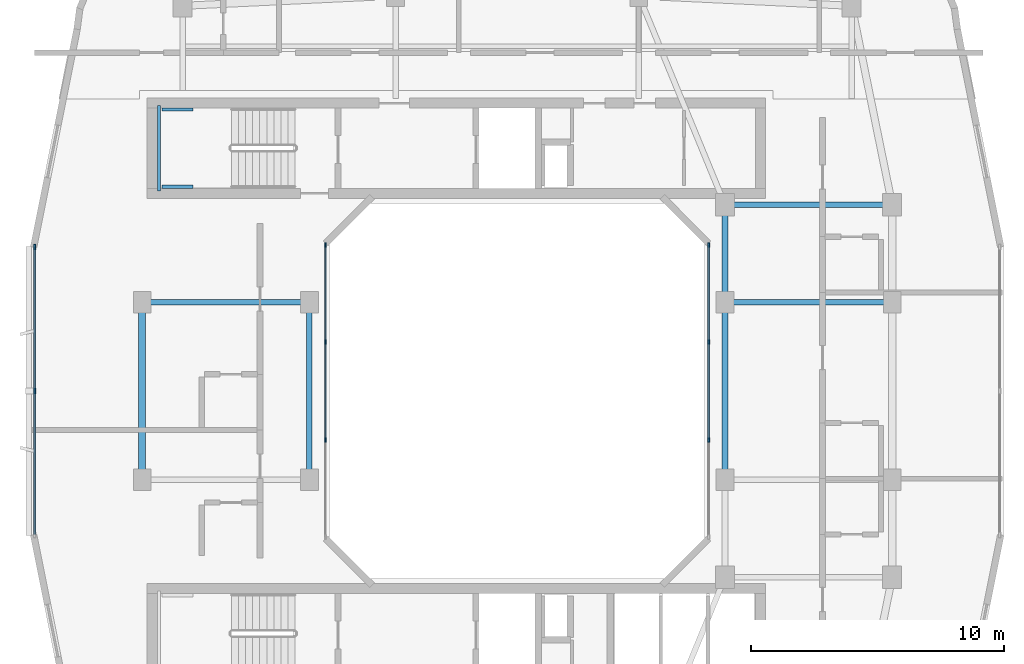
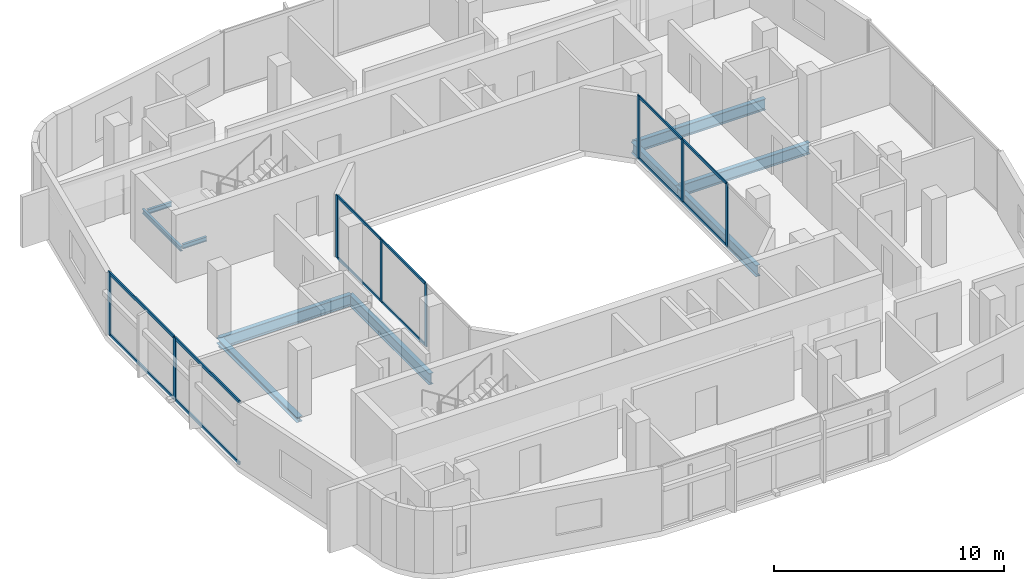
# One storey, part 3 of 14: 20 members, 10 beams, 3 elements without a shape of their own.
"""IFC4 building model written with IfcOpenShell, lengths in metres."""

from ifc_helpers import new_model, si_unit, derived_unit, direction, frame, origin, origin_2d, place, context, subcontext, project, spatial, rectangle, i_section, extrude, material, layer, layer_set, material_profile, profile_set, type_object, element, aggregate, save


model = new_model("IFC4")

# Units and contexts
model_context = context("Model", 3, precision=1e-05, world=origin(), true_north=direction((0.0, 1.0)))
body_context = subcontext(model_context, "Body", "Model", "MODEL_VIEW")
ifc_project = project(units=[si_unit("LENGTHUNIT", "METRE"), si_unit("AREAUNIT", "SQUARE_METRE"), si_unit("VOLUMEUNIT", "CUBIC_METRE"), si_unit("PLANEANGLEUNIT", "RADIAN"), si_unit("MASSUNIT", "GRAM", prefix="KILO"), derived_unit("THERMALTRANSMITTANCEUNIT", [(si_unit("POWERUNIT", "WATT"), 1), (si_unit("LENGTHUNIT", "METRE"), -2), (si_unit("THERMODYNAMICTEMPERATUREUNIT", "KELVIN"), -1)])], contexts=[model_context])

# Site, building, storey
site_placement = place(None, origin())
site = spatial("IfcSite", under=ifc_project, at=site_placement, CompositionType="ELEMENT")
building_placement = place(site_placement, origin())
building = spatial("IfcBuilding", under=site, at=building_placement, Name="Kivonza Crest Hotel", CompositionType="ELEMENT")
storey_placement = place(building_placement, frame((0.0, 0.0, 209.89990234375)))
storey = spatial("IfcBuildingStorey", under=building, at=storey_placement, Name="L57", CompositionType="ELEMENT", Elevation=209.89990234375)

# Beams
ifc_material_1 = material(Name="Steel S355", Category="steel")
ifc_material_profile_1 = material_profile(ifc_material_1, i_section(OverallWidth=0.280029296875, OverallDepth=0.280029296875, WebThickness=0.010498046875, FlangeThickness=0.01806640625, FilletRadius=0.02392578125, at=origin_2d()), Name="HEB 280")
ifc_profile_set_1 = profile_set([ifc_material_profile_1], Name="Steel S355")
beam_type_1 = type_object("IfcBeamType", Name="BM-HEB280", PredefinedType="SPANDREL", material=ifc_profile_set_1)
beam_1_placement = place(storey_placement, frame((6.199951171875, 28.5, -0.419921875), z_axis=(0.0, -1.0, 0.0), x_axis=(1.0, 0.0, 0.0)))
element("IfcBeam", 1, at=beam_1_placement, inside=storey, type_object=beam_type_1, Name="Tower T1 L57 perimeter spandrel W2-W1", PredefinedType="SPANDREL", context=body_context, shape_type="SweptSolid", body=[
    extrude(i_section(OverallWidth=0.280029296875, OverallDepth=0.280029296875, WebThickness=0.010498046875, FlangeThickness=0.01806640625, FilletRadius=0.02392578125, at=origin_2d()), origin(), (0.0, 0.0, 1.0), 7.0),
])
ifc_material_profile_2 = material_profile(ifc_material_1, i_section(OverallWidth=0.219970703125, OverallDepth=0.60009765625, WebThickness=0.011962890625, FlangeThickness=0.01904296875, FilletRadius=0.02392578125, at=origin_2d()), Name="IPE 600")
ifc_profile_set_2 = profile_set([ifc_material_profile_2], Name="Steel S355")
beam_type_2 = type_object("IfcBeamType", Name="BM-IPE600", PredefinedType="BEAM", material=ifc_profile_set_2)
beam_2_placement = place(storey_placement, frame((6.199951171875, 28.5, -0.579833984375), z_axis=(1.0, 0.0, 0.0), x_axis=(0.0, 1.0, 0.0)))
element("IfcBeam", 2, at=beam_2_placement, inside=storey, type_object=beam_type_2, Name="Tower T1 L57 primary girder W2-WL2", PredefinedType="BEAM", context=body_context, shape_type="SweptSolid", body=[
    extrude(i_section(OverallWidth=0.219970703125, OverallDepth=0.60009765625, WebThickness=0.011962890625, FlangeThickness=0.01904296875, FilletRadius=0.02392578125, at=origin_2d()), origin(), (0.0, 0.0, 1.0), 6.60009765625),
])
beam_3_placement = place(storey_placement, frame((12.800048828125, 21.5, -0.579833984375), z_axis=(0.0, 1.0, 0.0), x_axis=(-1.0, 0.0, 0.0)))
element("IfcBeam", 3, at=beam_3_placement, inside=storey, type_object=beam_type_2, Name="Tower T1 L57 primary girder WL1-WL2", PredefinedType="BEAM", context=body_context, shape_type="SweptSolid", body=[
    extrude(i_section(OverallWidth=0.219970703125, OverallDepth=0.60009765625, WebThickness=0.011962890625, FlangeThickness=0.01904296875, FilletRadius=0.02392578125, at=origin_2d()), origin(), (0.0, 0.0, 1.0), 7.0),
])
beam_4_placement = place(storey_placement, frame((29.199951171875, 32.35009765625, -0.579833984375), z_axis=(1.0, 0.0, 0.0), x_axis=(0.0, 1.0, 0.0)))
element("IfcBeam", 4, at=beam_4_placement, inside=storey, type_object=beam_type_2, Name="Tower T1 L57 primary girder TNE-PNE", PredefinedType="BEAM", context=body_context, shape_type="SweptSolid", body=[
    extrude(i_section(OverallWidth=0.219970703125, OverallDepth=0.60009765625, WebThickness=0.011962890625, FlangeThickness=0.01904296875, FilletRadius=0.02392578125, at=origin_2d()), origin(), (0.0, 0.0, 1.0), 6.60009765625),
])
beam_5_placement = place(storey_placement, frame((29.199951171875, 21.5, -0.579833984375), z_axis=(0.0, 1.0, 0.0), x_axis=(-1.0, 0.0, 0.0)))
element("IfcBeam", 5, at=beam_5_placement, inside=storey, type_object=beam_type_2, Name="Tower T1 L57 primary girder WR1-WR2", PredefinedType="BEAM", context=body_context, shape_type="SweptSolid", body=[
    extrude(i_section(OverallWidth=0.219970703125, OverallDepth=0.60009765625, WebThickness=0.011962890625, FlangeThickness=0.01904296875, FilletRadius=0.02392578125, at=origin_2d()), origin(), (0.0, 0.0, 1.0), 7.0),
])
beam_6_placement = place(storey_placement, frame((29.199951171875, 28.5, -0.579833984375), z_axis=(0.0, 1.0, 0.0), x_axis=(-1.0, 0.0, 0.0)))
element("IfcBeam", 6, at=beam_6_placement, inside=storey, type_object=beam_type_2, Name="Tower T1 L57 primary girder WR2-TNE", PredefinedType="BEAM", context=body_context, shape_type="SweptSolid", body=[
    extrude(i_section(OverallWidth=0.219970703125, OverallDepth=0.60009765625, WebThickness=0.011962890625, FlangeThickness=0.01904296875, FilletRadius=0.02392578125, at=origin_2d()), origin(), (0.0, 0.0, 1.0), 3.85009765625),
])
beam_7_placement = place(storey_placement, frame((29.199951171875, 28.5, -0.579833984375), z_axis=(1.0, 0.0, 0.0), x_axis=(0.0, 1.0, 0.0)))
element("IfcBeam", 7, at=beam_7_placement, inside=storey, type_object=beam_type_2, Name="Tower T1 L57 primary girder WR2-E2", PredefinedType="BEAM", context=body_context, shape_type="SweptSolid", body=[
    extrude(i_section(OverallWidth=0.219970703125, OverallDepth=0.60009765625, WebThickness=0.011962890625, FlangeThickness=0.01904296875, FilletRadius=0.02392578125, at=origin_2d()), origin(), (0.0, 0.0, 1.0), 6.60009765625),
])
ifc_material_profile_3 = material_profile(ifc_material_1, i_section(OverallWidth=0.1201171875, OverallDepth=0.239990234375, WebThickness=0.006103515625, FlangeThickness=0.009765625, FilletRadius=0.014892578125, at=origin_2d()), Name="IPE 240")
ifc_profile_set_3 = profile_set([ifc_material_profile_3], Name="Steel S355")
beam_type_3 = type_object("IfcBeamType", Name="BM-LLDG-240", PredefinedType="BEAM", material=ifc_profile_set_3)
beam_8_placement = place(storey_placement, frame((6.860107421875, 32.89990234375, 1.47998046875), z_axis=(0.0, 1.0, 0.0), x_axis=(-1.0, 0.0, 0.0)))
element("IfcBeam", 8, at=beam_8_placement, inside=storey, type_object=beam_type_3, Name="Stair ST-T1-N L57 West landing corbel", PredefinedType="BEAM", context=body_context, shape_type="SweptSolid", body=[
    extrude(i_section(OverallWidth=0.1201171875, OverallDepth=0.239990234375, WebThickness=0.006103515625, FlangeThickness=0.009765625, FilletRadius=0.014892578125, at=origin_2d()), origin(), (0.0, 0.0, 1.0), 3.360107421875),
])
for number, where, z_axis, x_axis, name in (
    (9, (6.989990234375, 33.06005859375, 1.47998046875), (1.0, 0.0, 0.0), (0.0, 1.0, 0.0), "Stair ST-T1-N L57 South landing corbel"),
    (10, (6.989990234375, 36.10009765625, 1.47998046875), (1.0, 0.0, 0.0), (0.0, 1.0, 0.0), "Stair ST-T1-N L57 North landing corbel"),
):
    element("IfcBeam", number, at=place(storey_placement, frame(where, z_axis=z_axis, x_axis=x_axis)), inside=storey, type_object=beam_type_3, Name=name, PredefinedType="BEAM", context=body_context, shape_type="SweptSolid", body=[
        extrude(i_section(OverallWidth=0.1201171875, OverallDepth=0.239990234375, WebThickness=0.006103515625, FlangeThickness=0.009765625, FilletRadius=0.014892578125, at=origin_2d()), origin(), (0.0, 0.0, 1.0), 1.2099609375),
    ])

# Curtain wall, members
ifc_material_2 = material(Name="Anodised bronze aluminium and low-E double glazing", Category="aluminium")
ifc_layer_1 = layer(ifc_material_2, 0.159912109375)
ifc_layer_set_1 = layer_set([ifc_layer_1], Name="Anodised bronze aluminium and low-E double glazing")
curtain_wall_type_1 = type_object("IfcCurtainWallType", Name="CW-SYS-5", PredefinedType="NOTDEFINED", material=ifc_layer_set_1)
curtain_wall_1_placement = place(storey_placement, origin())
curtain_wall_1 = element("IfcCurtainWall", 11, at=curtain_wall_1_placement, inside=storey, type_object=curtain_wall_type_1, Name="L57 unitised curtain wall CW-WELL-T1-L57-3", PredefinedType="NOTDEFINED")
ifc_material_3 = material(Name="Anodised bronze aluminium", Category="aluminium")
ifc_material_profile_4 = material_profile(ifc_material_3, rectangle(XDim=0.06494140625, YDim=0.179931640625, at=origin_2d()), Name="CW-M 65x180")
ifc_profile_set_4 = profile_set([ifc_material_profile_4], Name="Anodised bronze aluminium")
member_type_1 = type_object("IfcMemberType", Name="CW-MUL-65x180", PredefinedType="MULLION", material=ifc_profile_set_4)
member_1_placement = place(storey_placement, frame((28.56005859375, 23.066650390625, 0.0), z_axis=(0.0, 0.0, 1.0), x_axis=(-1.0, 0.0, 0.0)))
member_1 = element("IfcMember", 12, at=member_1_placement, type_object=member_type_1, Name="CW-5 mullion 2", PredefinedType="MULLION", context=body_context, shape_type="SweptSolid", body=[
    extrude(rectangle(XDim=0.06494140625, YDim=0.179931640625, at=origin_2d()), origin(), (0.0, 0.0, 1.0), 3.320068359375),
])
member_2_placement = place(storey_placement, frame((28.56005859375, 26.933349609375, 0.0), z_axis=(0.0, 0.0, 1.0), x_axis=(-1.0, 0.0, 0.0)))
member_2 = element("IfcMember", 13, at=member_2_placement, type_object=member_type_1, Name="CW-5 mullion 3", PredefinedType="MULLION", context=body_context, shape_type="SweptSolid", body=[
    extrude(rectangle(XDim=0.06494140625, YDim=0.179931640625, at=origin_2d()), origin(), (0.0, 0.0, 1.0), 3.320068359375),
])
member_3_placement = place(storey_placement, frame((28.56005859375, 30.767578125, 0.0), z_axis=(0.0, 0.0, 1.0), x_axis=(-1.0, 0.0, 0.0)))
member_3 = element("IfcMember", 14, at=member_3_placement, type_object=member_type_1, Name="CW-5 mullion 4", PredefinedType="MULLION", context=body_context, shape_type="SweptSolid", body=[
    extrude(rectangle(XDim=0.06494140625, YDim=0.179931640625, at=origin_2d()), origin(), (0.0, 0.0, 1.0), 3.320068359375),
])

curtain_wall_2_placement = place(storey_placement, origin())
curtain_wall_2 = element("IfcCurtainWall", 15, at=curtain_wall_2_placement, inside=storey, type_object=curtain_wall_type_1, Name="L57 unitised curtain wall CW-WELL-T1-L57-7", PredefinedType="NOTDEFINED")
member_4_placement = place(storey_placement, frame((13.43994140625, 30.767578125, 0.0), z_axis=(0.0, 0.0, 1.0), x_axis=(1.0, 0.0, 0.0)))
member_4 = element("IfcMember", 16, at=member_4_placement, type_object=member_type_1, Name="CW-5 mullion 1", PredefinedType="MULLION", context=body_context, shape_type="SweptSolid", body=[
    extrude(rectangle(XDim=0.06494140625, YDim=0.179931640625, at=origin_2d()), origin(), (0.0, 0.0, 1.0), 3.320068359375),
])
member_5_placement = place(storey_placement, frame((13.43994140625, 26.933349609375, 0.0), z_axis=(0.0, 0.0, 1.0), x_axis=(1.0, 0.0, 0.0)))
member_5 = element("IfcMember", 17, at=member_5_placement, type_object=member_type_1, Name="CW-5 mullion 2", PredefinedType="MULLION", context=body_context, shape_type="SweptSolid", body=[
    extrude(rectangle(XDim=0.06494140625, YDim=0.179931640625, at=origin_2d()), origin(), (0.0, 0.0, 1.0), 3.320068359375),
])
member_6_placement = place(storey_placement, frame((13.43994140625, 23.066650390625, 0.0), z_axis=(0.0, 0.0, 1.0), x_axis=(1.0, 0.0, 0.0)))
member_6 = element("IfcMember", 18, at=member_6_placement, type_object=member_type_1, Name="CW-5 mullion 3", PredefinedType="MULLION", context=body_context, shape_type="SweptSolid", body=[
    extrude(rectangle(XDim=0.06494140625, YDim=0.179931640625, at=origin_2d()), origin(), (0.0, 0.0, 1.0), 3.320068359375),
])

ifc_layer_2 = layer(ifc_material_2, 0.179931640625)
ifc_layer_set_2 = layer_set([ifc_layer_2], Name="Anodised bronze aluminium and low-E double glazing")
curtain_wall_type_2 = type_object("IfcCurtainWallType", Name="CW-SYS-3", PredefinedType="NOTDEFINED", material=ifc_layer_set_2)
curtain_wall_3_placement = place(storey_placement, origin())
curtain_wall_3 = element("IfcCurtainWall", 19, at=curtain_wall_3_placement, inside=storey, type_object=curtain_wall_type_2, Name="L57 unitised curtain wall CW-T1-L57-35", PredefinedType="NOTDEFINED")
ifc_material_profile_5 = material_profile(ifc_material_3, rectangle(XDim=0.074951171875, YDim=0.219970703125, at=origin_2d()), Name="CW-M 75x220")
ifc_profile_set_5 = profile_set([ifc_material_profile_5], Name="Anodised bronze aluminium")
member_type_2 = type_object("IfcMemberType", Name="CW-MUL-75x220", PredefinedType="MULLION", material=ifc_profile_set_5)
member_7_placement = place(storey_placement, frame((1.9599609375, 30.6826171875, 0.0), z_axis=(0.0, 0.0, 1.0), x_axis=(1.0, 0.0, 0.0)))
member_7 = element("IfcMember", 20, at=member_7_placement, type_object=member_type_2, Name="CW-3 mullion 1", PredefinedType="MULLION", context=body_context, shape_type="SweptSolid", body=[
    extrude(rectangle(XDim=0.074951171875, YDim=0.219970703125, at=origin_2d()), origin(), (0.0, 0.0, 1.0), 3.320068359375),
])
member_8_placement = place(storey_placement, frame((1.9599609375, 25.0, 0.0), z_axis=(0.0, 0.0, 1.0), x_axis=(1.0, 0.0, 0.0)))
member_8 = element("IfcMember", 21, at=member_8_placement, type_object=member_type_2, Name="CW-3 mullion 2", PredefinedType="MULLION", context=body_context, shape_type="SweptSolid", body=[
    extrude(rectangle(XDim=0.074951171875, YDim=0.219970703125, at=origin_2d()), origin(), (0.0, 0.0, 1.0), 3.320068359375),
])

# Member
ifc_material_profile_6 = material_profile(ifc_material_3, rectangle(XDim=0.06494140625, YDim=0.139892578125, at=origin_2d()), Name="CW-T 65x140")
ifc_profile_set_6 = profile_set([ifc_material_profile_6], Name="Anodised bronze aluminium")
member_type_3 = type_object("IfcMemberType", Name="CW-TRN-65x140", PredefinedType="USERDEFINED", material=ifc_profile_set_6)
member_9_placement = place(storey_placement, frame((28.56005859375, 23.09912109375, 0.03271484375), z_axis=(0.0, 1.0, 0.0), x_axis=(-1.0, 0.0, 0.0)))
member_9 = element("IfcMember", 22, at=member_9_placement, type_object=member_type_3, Name="CW-5 transom 2.1", ObjectType="TRANSOM", PredefinedType="USERDEFINED", context=body_context, shape_type="SweptSolid", body=[
    extrude(rectangle(XDim=0.06494140625, YDim=0.139892578125, at=origin_2d()), origin(), (0.0, 0.0, 1.0), 3.8017578125),
])

member_10_placement = place(storey_placement, frame((28.56005859375, 23.09912109375, 3.28759765625), z_axis=(0.0, 1.0, 0.0), x_axis=(-1.0, 0.0, 0.0)))
member_10 = element("IfcMember", 23, at=member_10_placement, type_object=member_type_3, Name="CW-5 transom 2.2", ObjectType="TRANSOM", PredefinedType="USERDEFINED", context=body_context, shape_type="SweptSolid", body=[
    extrude(rectangle(XDim=0.06494140625, YDim=0.139892578125, at=origin_2d()), origin(), (0.0, 0.0, 1.0), 3.8017578125),
])

member_11_placement = place(storey_placement, frame((28.56005859375, 26.9658203125, 0.03271484375), z_axis=(0.0, 1.0, 0.0), x_axis=(-1.0, 0.0, 0.0)))
member_11 = element("IfcMember", 24, at=member_11_placement, type_object=member_type_3, Name="CW-5 transom 3.1", ObjectType="TRANSOM", PredefinedType="USERDEFINED", context=body_context, shape_type="SweptSolid", body=[
    extrude(rectangle(XDim=0.06494140625, YDim=0.139892578125, at=origin_2d()), origin(), (0.0, 0.0, 1.0), 3.769287109375),
])

member_12_placement = place(storey_placement, frame((28.56005859375, 26.9658203125, 3.28759765625), z_axis=(0.0, 1.0, 0.0), x_axis=(-1.0, 0.0, 0.0)))
member_12 = element("IfcMember", 25, at=member_12_placement, type_object=member_type_3, Name="CW-5 transom 3.2", ObjectType="TRANSOM", PredefinedType="USERDEFINED", context=body_context, shape_type="SweptSolid", body=[
    extrude(rectangle(XDim=0.06494140625, YDim=0.139892578125, at=origin_2d()), origin(), (0.0, 0.0, 1.0), 3.769287109375),
])

aggregate(curtain_wall_1, [member_1, member_2, member_3, member_9, member_10, member_11, member_12])

member_13_placement = place(storey_placement, frame((13.43994140625, 30.735107421875, 0.03271484375), z_axis=(0.0, -1.0, 0.0), x_axis=(1.0, 0.0, 0.0)))
member_13 = element("IfcMember", 26, at=member_13_placement, type_object=member_type_3, Name="CW-5 transom 1.1", ObjectType="TRANSOM", PredefinedType="USERDEFINED", context=body_context, shape_type="SweptSolid", body=[
    extrude(rectangle(XDim=0.06494140625, YDim=0.139892578125, at=origin_2d()), origin(), (0.0, 0.0, 1.0), 3.769287109375),
])

member_14_placement = place(storey_placement, frame((13.43994140625, 30.735107421875, 3.28759765625), z_axis=(0.0, -1.0, 0.0), x_axis=(1.0, 0.0, 0.0)))
member_14 = element("IfcMember", 27, at=member_14_placement, type_object=member_type_3, Name="CW-5 transom 1.2", ObjectType="TRANSOM", PredefinedType="USERDEFINED", context=body_context, shape_type="SweptSolid", body=[
    extrude(rectangle(XDim=0.06494140625, YDim=0.139892578125, at=origin_2d()), origin(), (0.0, 0.0, 1.0), 3.769287109375),
])

member_15_placement = place(storey_placement, frame((13.43994140625, 26.90087890625, 0.03271484375), z_axis=(0.0, -1.0, 0.0), x_axis=(1.0, 0.0, 0.0)))
member_15 = element("IfcMember", 28, at=member_15_placement, type_object=member_type_3, Name="CW-5 transom 2.1", ObjectType="TRANSOM", PredefinedType="USERDEFINED", context=body_context, shape_type="SweptSolid", body=[
    extrude(rectangle(XDim=0.06494140625, YDim=0.139892578125, at=origin_2d()), origin(), (0.0, 0.0, 1.0), 3.8017578125),
])

member_16_placement = place(storey_placement, frame((13.43994140625, 26.90087890625, 3.28759765625), z_axis=(0.0, -1.0, 0.0), x_axis=(1.0, 0.0, 0.0)))
member_16 = element("IfcMember", 29, at=member_16_placement, type_object=member_type_3, Name="CW-5 transom 2.2", ObjectType="TRANSOM", PredefinedType="USERDEFINED", context=body_context, shape_type="SweptSolid", body=[
    extrude(rectangle(XDim=0.06494140625, YDim=0.139892578125, at=origin_2d()), origin(), (0.0, 0.0, 1.0), 3.8017578125),
])

aggregate(curtain_wall_2, [member_4, member_5, member_6, member_13, member_14, member_15, member_16])

ifc_material_profile_7 = material_profile(ifc_material_3, rectangle(XDim=0.074951171875, YDim=0.159912109375, at=origin_2d()), Name="CW-T 75x160")
ifc_profile_set_7 = profile_set([ifc_material_profile_7], Name="Anodised bronze aluminium")
member_type_4 = type_object("IfcMemberType", Name="CW-TRN-75x160", PredefinedType="USERDEFINED", material=ifc_profile_set_7)
member_17_placement = place(storey_placement, frame((1.9599609375, 30.64501953125, 0.03759765625), z_axis=(0.0, -1.0, 0.0), x_axis=(1.0, 0.0, 0.0)))
member_17 = element("IfcMember", 30, at=member_17_placement, type_object=member_type_4, Name="CW-3 transom 1.1", ObjectType="TRANSOM", PredefinedType="USERDEFINED", context=body_context, shape_type="SweptSolid", body=[
    extrude(rectangle(XDim=0.074951171875, YDim=0.159912109375, at=origin_2d()), origin(), (0.0, 0.0, 1.0), 5.607421875),
])

member_18_placement = place(storey_placement, frame((1.9599609375, 30.64501953125, 3.28271484375), z_axis=(0.0, -1.0, 0.0), x_axis=(1.0, 0.0, 0.0)))
member_18 = element("IfcMember", 31, at=member_18_placement, type_object=member_type_4, Name="CW-3 transom 1.2", ObjectType="TRANSOM", PredefinedType="USERDEFINED", context=body_context, shape_type="SweptSolid", body=[
    extrude(rectangle(XDim=0.074951171875, YDim=0.159912109375, at=origin_2d()), origin(), (0.0, 0.0, 1.0), 5.607421875),
])

member_19_placement = place(storey_placement, frame((1.9599609375, 24.96240234375, 0.03759765625), z_axis=(0.0, -1.0, 0.0), x_axis=(1.0, 0.0, 0.0)))
member_19 = element("IfcMember", 32, at=member_19_placement, type_object=member_type_4, Name="CW-3 transom 2.1", ObjectType="TRANSOM", PredefinedType="USERDEFINED", context=body_context, shape_type="SweptSolid", body=[
    extrude(rectangle(XDim=0.074951171875, YDim=0.159912109375, at=origin_2d()), origin(), (0.0, 0.0, 1.0), 5.607421875),
])

member_20_placement = place(storey_placement, frame((1.9599609375, 24.96240234375, 3.28271484375), z_axis=(0.0, -1.0, 0.0), x_axis=(1.0, 0.0, 0.0)))
member_20 = element("IfcMember", 33, at=member_20_placement, type_object=member_type_4, Name="CW-3 transom 2.2", ObjectType="TRANSOM", PredefinedType="USERDEFINED", context=body_context, shape_type="SweptSolid", body=[
    extrude(rectangle(XDim=0.074951171875, YDim=0.159912109375, at=origin_2d()), origin(), (0.0, 0.0, 1.0), 5.607421875),
])

aggregate(curtain_wall_3, [member_7, member_8, member_17, member_18, member_19, member_20])

save(model, "model.ifc")
